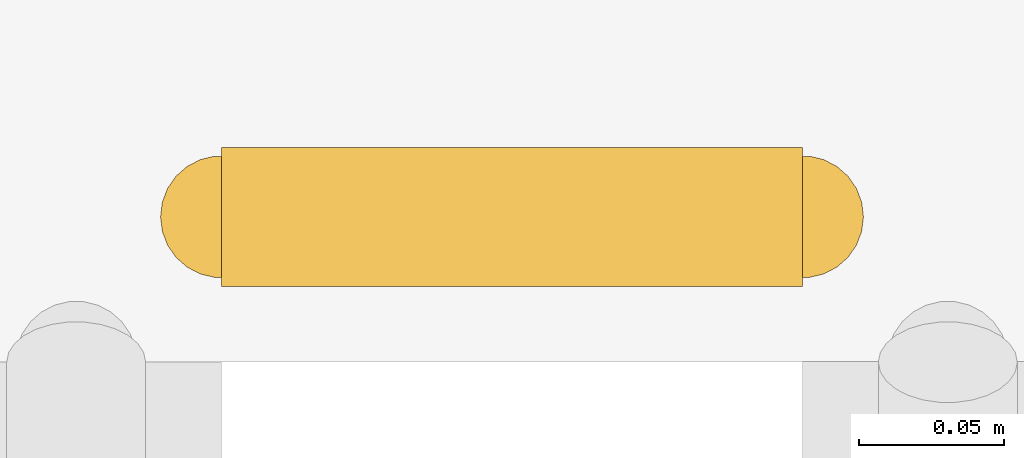
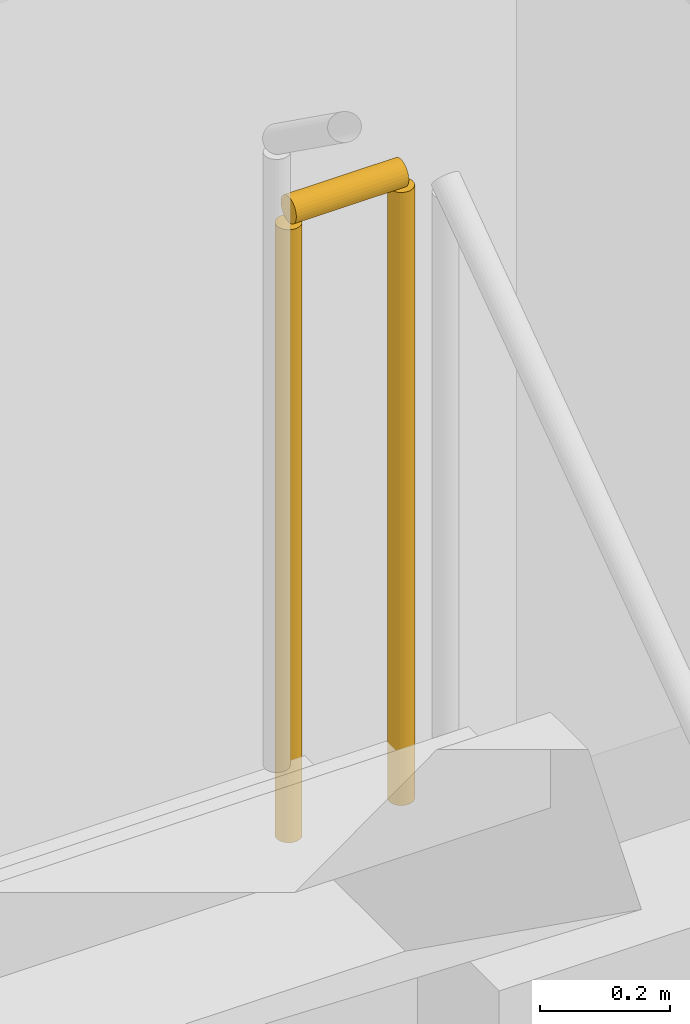
# One storey, part 28 of 32: 1 railing.
"""IFC4 building model written with IfcOpenShell, lengths in metres."""

from ifc_helpers import new_model, si_unit, direction, frame, origin, origin_2d, place, context, subcontext, project, spatial, circle, extrude, material, layer, layer_set, type_object, element, save


model = new_model("IFC4")

# Units and contexts
model_context = context("Model", 3, precision=1e-05, world=origin(), true_north=direction((0.0, 1.0)))
body_context = subcontext(model_context, "Body", "Model", "MODEL_VIEW")
ifc_project = project(units=[si_unit("LENGTHUNIT", "METRE"), si_unit("AREAUNIT", "SQUARE_METRE"), si_unit("VOLUMEUNIT", "CUBIC_METRE"), si_unit("PLANEANGLEUNIT", "RADIAN"), si_unit("MASSUNIT", "GRAM", prefix="KILO")], contexts=[model_context])

# Site, building, storey
site_placement = place(None, origin())
site = spatial("IfcSite", under=ifc_project, at=site_placement, CompositionType="ELEMENT")
building_placement = place(site_placement, origin())
building = spatial("IfcBuilding", under=site, at=building_placement, Name="Noeulbin Bourse Tower", CompositionType="ELEMENT")
storey_placement = place(building_placement, frame((0.0, 0.0, 5.800048828125)))
storey = spatial("IfcBuildingStorey", under=building, at=storey_placement, Name="L02", CompositionType="ELEMENT", Elevation=5.800048828125)

# Railing
ifc_material = material(Name="Painted Tubular Steel S355", Category="steel")
ifc_layer = layer(ifc_material, 0.048095703125)
ifc_layer_set = layer_set([ifc_layer], Name="Painted Tubular Steel S355")
railing_type = type_object("IfcRailingType", Name="RLG-STR-GRD", PredefinedType="GUARDRAIL", material=ifc_layer_set)
railing_placement = place(storey_placement, frame((16.199951171875, 35.387939453125, 2.699951171875)))
element("IfcRailing", 1, at=railing_placement, inside=storey, type_object=railing_type, Name="L02 ST-1 stair guard 2", PredefinedType="GUARDRAIL", context=body_context, shape_type="SweptSolid", body=[
    extrude(circle(Radius=0.02392578125, at=origin_2d()), frame((0.0, 0.0, 1.17578125), z_axis=(-1.0, 0.0, 0.0), x_axis=(0.0, -1.0, 0.0)), (0.0, 0.0, 1.0), 0.199951171875),
    extrude(circle(Radius=0.02099609375, at=origin_2d()), origin(), (0.0, 0.0, 1.0), 1.15185546875),
    extrude(circle(Radius=0.02099609375, at=origin_2d()), frame((-0.199951171875, 0.0, 0.0)), (0.0, 0.0, 1.0), 1.15185546875),
])

save(model, "model.ifc")
